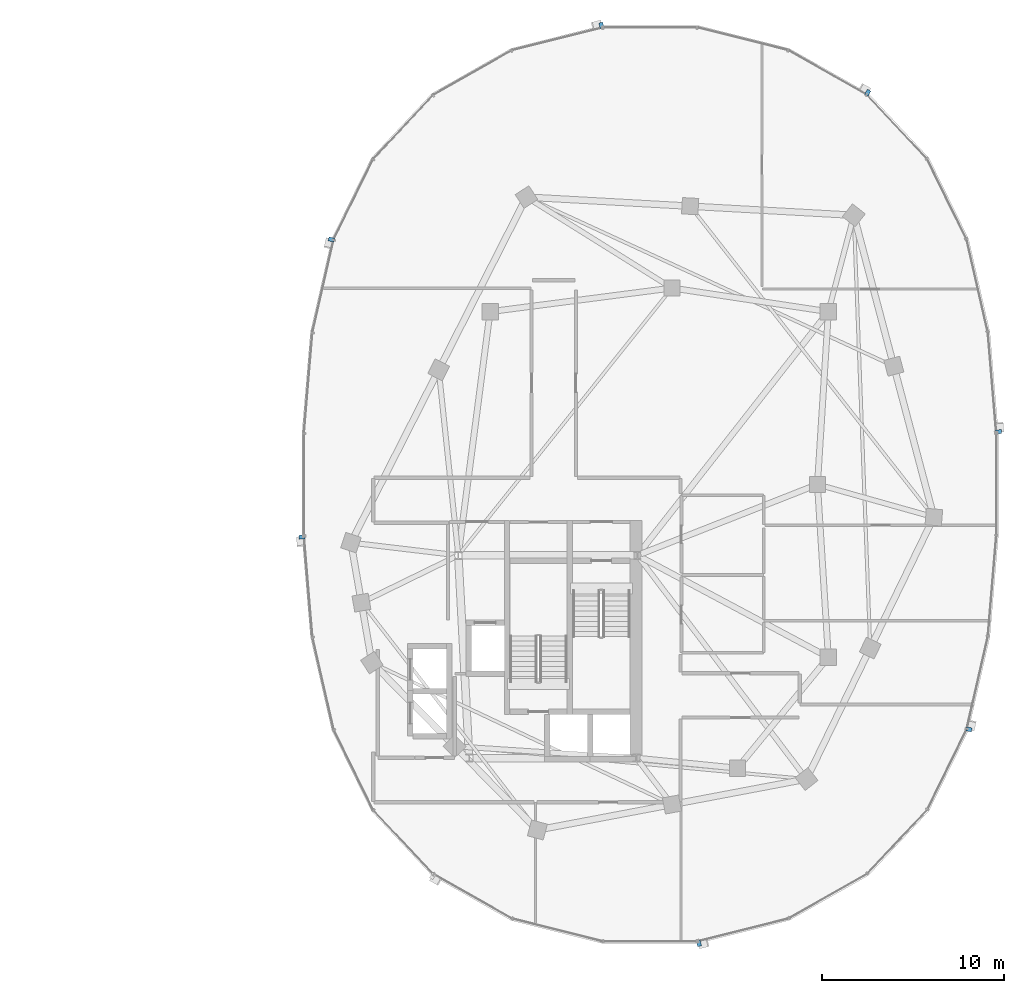
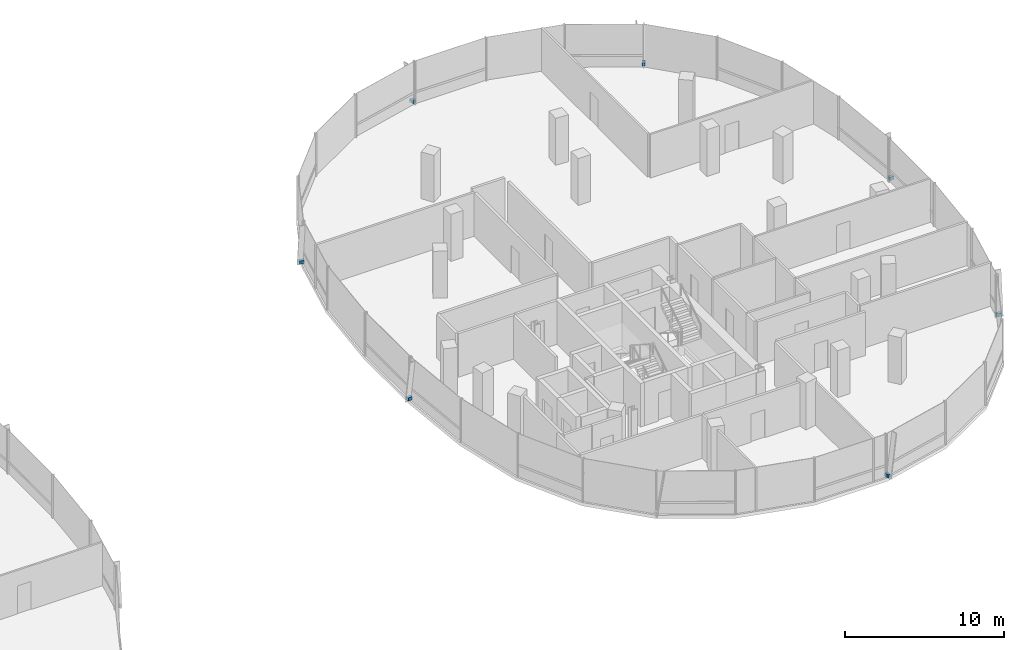
# One storey, part 20 of 25: 7 discrete accessories.
"""IFC4 building model written with IfcOpenShell, lengths in metres."""

from ifc_helpers import new_model, si_unit, direction, frame, origin, origin_2d, place, context, subcontext, project, spatial, rectangle, extrude, material, type_object, element, save


model = new_model("IFC4")

# Units and contexts
model_context = context("Model", 3, precision=1e-05, world=origin(), true_north=direction((0.0, 1.0)))
body_context = subcontext(model_context, "Body", "Model", "MODEL_VIEW")
ifc_project = project(units=[si_unit("LENGTHUNIT", "METRE"), si_unit("AREAUNIT", "SQUARE_METRE"), si_unit("VOLUMEUNIT", "CUBIC_METRE"), si_unit("PLANEANGLEUNIT", "RADIAN"), si_unit("MASSUNIT", "GRAM", prefix="KILO"), si_unit("THERMODYNAMICTEMPERATUREUNIT", "KELVIN"), si_unit("POWERUNIT", "WATT")], contexts=[model_context])

# Site, building, storey
site_placement = place(None, origin())
site = spatial("IfcSite", under=ifc_project, at=site_placement, CompositionType="ELEMENT")
building_placement = place(site_placement, origin())
building = spatial("IfcBuilding", under=site, at=building_placement, Name="Cundina Bronze Exchange", CompositionType="ELEMENT")
storey_placement = place(building_placement, frame((0.0, 0.0, 217.0)))
storey = spatial("IfcBuildingStorey", under=building, at=storey_placement, Name="L57", CompositionType="ELEMENT", Elevation=217.0)

# Discrete accessories
ifc_material = material(Name="Anodised Bronze Aluminium 6063-T6", Category="aluminium")
discrete_accessory_type = type_object("IfcDiscreteAccessoryType", Name="ACC-BRK-FIN", PredefinedType="BRACKET", material=ifc_material)
for number, where, z_axis, x_axis, name in (
    (1, (51.15478515625, 2.893798828125, 0.10009765625), (0.0, 0.0, 1.0), (-0.083747411454, 0.996487015006, 0.0), "L57 Fin Support Bracket 1"),
    (2, (43.961181640625, 21.539794921875, 0.10009765625), (0.0, 0.0, 1.0), (-0.869572506985, 0.493805280547, 0.0), "L57 Fin Support Bracket 5"),
    (3, (29.321044921875, 25.23779296875, 0.10009765625), (0.0, 0.0, 1.0), (-0.969731542251, -0.244173577528, 0.0), "L57 Fin Support Bracket 1"),
    (4, (14.470458984375, 13.468505859375, 0.10009765625), (0.0, 0.0, 1.0), (-0.223284141459, -0.974753400698, 0.0), "L57 Fin Support Bracket 5"),
    (5, (12.84521484375, -2.893798828125, 0.10009765625), (0.0, 0.0, 1.0), (0.083747411454, -0.996487015006, 0.0), "L57 Fin Support Bracket 1"),
    (6, (34.678955078125, -25.23779296875, 0.10009765625), (0.0, 0.0, 1.0), (0.969731542251, 0.244173577528, 0.0), "L57 Fin Support Bracket 1"),
    (7, (49.529541015625, -13.468505859375, 0.10009765625), (0.0, 0.0, 1.0), (0.223284141459, 0.974753400698, 0.0), "L57 Fin Support Bracket 5"),
):
    element("IfcDiscreteAccessory", number, at=place(storey_placement, frame(where, z_axis=z_axis, x_axis=x_axis)), inside=storey, type_object=discrete_accessory_type, Name=name, PredefinedType="BRACKET", context=body_context, shape_type="SweptSolid", body=[
        extrude(rectangle(XDim=0.219970703125, YDim=0.320068359375, at=origin_2d()), origin(), (0.0, 0.0, 1.0), 0.239990234375),
    ])

save(model, "model.ifc")
